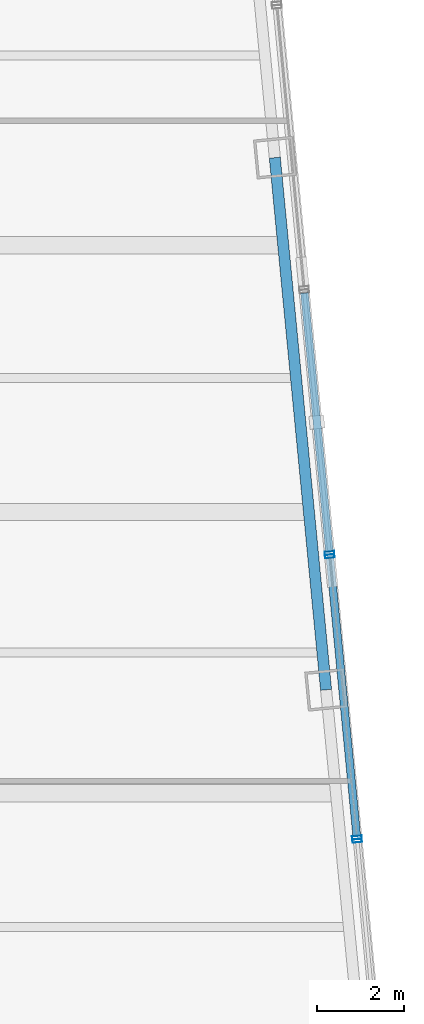
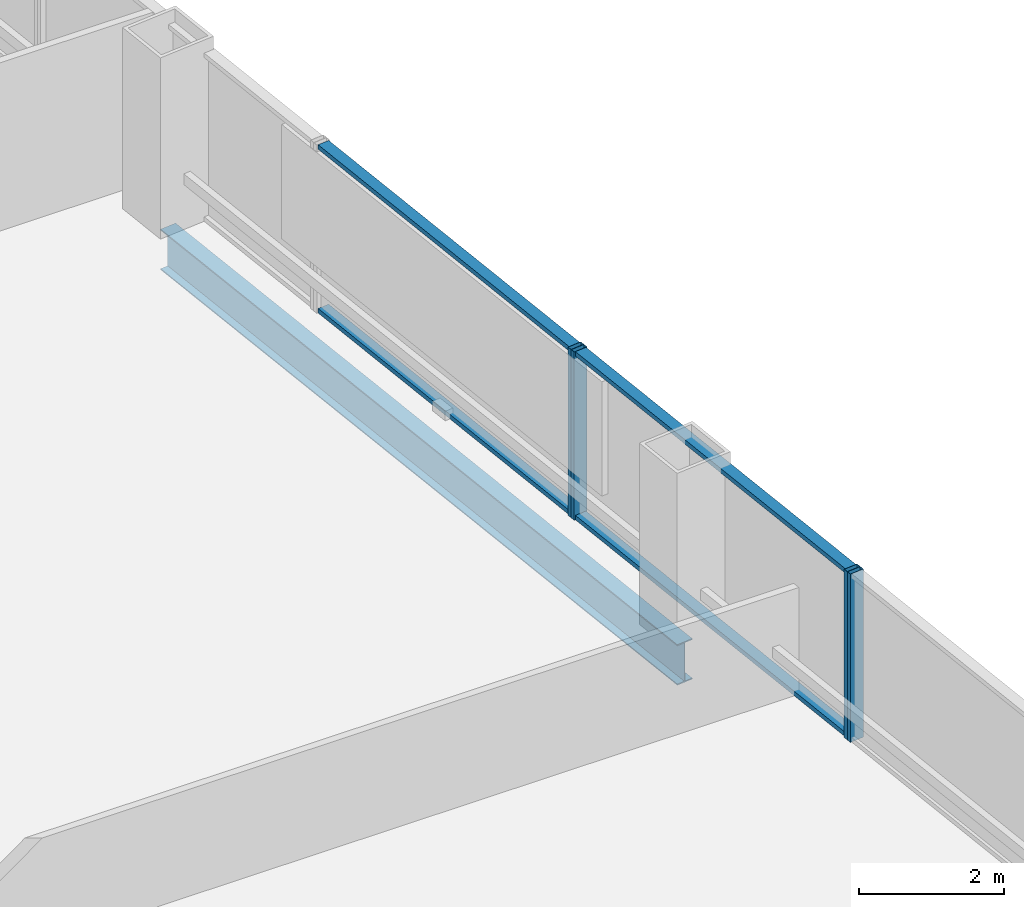
# One storey, part 17 of 34: 8 members, 1 beam, 3 elements without a shape of their own.
"""IFC4 building model written with IfcOpenShell, lengths in metres."""

from ifc_helpers import new_model, si_unit, direction, frame, origin, origin_2d, place, context, subcontext, project, spatial, hollow_rectangle, i_section, extrude, material, layer, layer_set, material_profile, profile_set, type_object, element, aggregate, save


model = new_model("IFC4")

# Units and contexts
model_context = context("Model", 3, precision=1e-05, world=origin(), true_north=direction((0.0, 1.0)))
body_context = subcontext(model_context, "Body", "Model", "MODEL_VIEW")
ifc_project = project(units=[si_unit("LENGTHUNIT", "METRE"), si_unit("AREAUNIT", "SQUARE_METRE"), si_unit("VOLUMEUNIT", "CUBIC_METRE"), si_unit("PLANEANGLEUNIT", "RADIAN"), si_unit("MASSUNIT", "GRAM", prefix="KILO")], contexts=[model_context])

# Site, building, storey
site_placement = place(None, origin())
site = spatial("IfcSite", under=ifc_project, at=site_placement, CompositionType="ELEMENT")
building_placement = place(site_placement, origin())
building = spatial("IfcBuilding", under=site, at=building_placement, Name="Qhalaya Broadcast Tower", CompositionType="ELEMENT")
storey_placement = place(building_placement, frame((0.0, 0.0, 78.60009765625)))
storey = spatial("IfcBuildingStorey", under=building, at=storey_placement, Name="L22", CompositionType="ELEMENT", Elevation=78.60009765625)

# Beam
ifc_material_1 = material(Name="Structural Steel ASTM A992 Grade 50", Category="steel")
ifc_material_profile_1 = material_profile(ifc_material_1, i_section(OverallWidth=0.25390625, OverallDepth=0.68310546875, WebThickness=0.012451171875, FlangeThickness=0.01904296875, at=origin_2d()), Name="W27X94")
ifc_profile_set_1 = profile_set([ifc_material_profile_1], Name="Structural Steel ASTM A992 Grade 50")
beam_type = type_object("IfcBeamType", Name="Perimeter Ring Spandrel Beam SP1", PredefinedType="SPANDREL", material=ifc_profile_set_1)
beam_placement = place(storey_placement, frame((28.116943359375, -0.255126953125, -0.5615234375), z_axis=(-0.095851586307, 0.99539563662, 0.0), x_axis=(-0.99539563662, -0.095851586307, 0.0)))
element("IfcBeam", 1, at=beam_placement, inside=storey, type_object=beam_type, Name="L22 SP1 L22-SPR-06", PredefinedType="SPANDREL", context=body_context, shape_type="SweptSolid", body=[
    extrude(i_section(OverallWidth=0.25390625, OverallDepth=0.68310546875, WebThickness=0.012451171875, FlangeThickness=0.01904296875, at=origin_2d()), origin(), (0.0, 0.0, 1.0), 12.2666015625),
])

# Curtain wall, member
ifc_material_2 = material(Name="Fired Architectural Terracotta", Category="masonry")
ifc_layer_1 = layer(ifc_material_2, 0.219970703125, Name="Fired Architectural Terracotta")
ifc_layer_set_1 = layer_set([ifc_layer_1], Name="Fired Architectural Terracotta")
curtain_wall_type_1 = type_object("IfcCurtainWallType", Name="Block-Cap Unitised Terracotta Spandrel Wall CW-07", PredefinedType="NOTDEFINED", material=ifc_layer_set_1)
curtain_wall_1_placement = place(storey_placement, origin())
curtain_wall_1 = element("IfcCurtainWall", 2, at=curtain_wall_1_placement, inside=storey, type_object=curtain_wall_type_1, Name="L22 Unitised Curtain Wall L22-CW-E2", PredefinedType="NOTDEFINED")
ifc_material_3 = material(Name="Anodised Aluminium 6063-T6", Category="aluminium")
ifc_material_profile_2 = material_profile(ifc_material_3, hollow_rectangle(XDim=0.074951171875, YDim=0.219970703125, WallThickness=0.00390625, at=origin_2d()), Name="ALU-MUL 75x220x4")
ifc_profile_set_2 = profile_set([ifc_material_profile_2], Name="Anodised Aluminium 6063-T6")
member_type_1 = type_object("IfcMemberType", Name="Unitised Curtain-Wall Mullion M01", PredefinedType="MULLION", material=ifc_profile_set_2)
member_1_placement = place(storey_placement, frame((28.832275390625, -3.71875, 0.0), z_axis=(0.0, 0.0, 1.0), x_axis=(-0.095843409779, 0.995396423945, 0.0)))
member_1 = element("IfcMember", 3, at=member_1_placement, type_object=member_type_1, Name="CW-07 mullion 2", PredefinedType="MULLION", context=body_context, shape_type="SweptSolid", body=[
    extrude(hollow_rectangle(XDim=0.074951171875, YDim=0.219970703125, WallThickness=0.00390625, at=origin_2d()), origin(), (0.0, 0.0, 1.0), 2.829833984375),
])
aggregate(curtain_wall_1, [member_1])

# Curtain wall, members
ifc_material_4 = material(Name="Solar-Control Low-E Triple Glazing", Category="glass")
ifc_layer_2 = layer(ifc_material_4, 0.219970703125, Name="Solar-Control Low-E Triple Glazing")
ifc_layer_set_2 = layer_set([ifc_layer_2], Name="Solar-Control Low-E Triple Glazing")
curtain_wall_type_2 = type_object("IfcCurtainWallType", Name="Even-Block 4-Storey Double-Module Curtain Wall CW-03", PredefinedType="NOTDEFINED", material=ifc_layer_set_2)
curtain_wall_2_placement = place(storey_placement, origin())
curtain_wall_2 = element("IfcCurtainWall", 4, at=curtain_wall_2_placement, inside=storey, type_object=curtain_wall_type_2, Name="L22 Unitised Curtain Wall L22-CW-E3", PredefinedType="NOTDEFINED")
member_2_placement = place(storey_placement, frame((28.824951171875, -3.644287109375, 0.0), z_axis=(0.0, 0.0, 1.0), x_axis=(-0.095852453314, 0.995395553131, 0.0)))
member_2 = element("IfcMember", 5, at=member_2_placement, type_object=member_type_1, Name="CW-03 mullion 1", PredefinedType="MULLION", context=body_context, shape_type="SweptSolid", body=[
    extrude(hollow_rectangle(XDim=0.074951171875, YDim=0.219970703125, WallThickness=0.00390625, at=origin_2d()), origin(), (0.0, 0.0, 1.0), 2.829833984375),
])
member_3_placement = place(storey_placement, frame((28.20361328125, 2.80908203125, 0.0), z_axis=(0.0, 0.0, 1.0), x_axis=(-0.095852453314, 0.995395553131, 0.0)))
member_3 = element("IfcMember", 6, at=member_3_placement, type_object=member_type_1, Name="CW-03 mullion 2", PredefinedType="MULLION", context=body_context, shape_type="SweptSolid", body=[
    extrude(hollow_rectangle(XDim=0.074951171875, YDim=0.219970703125, WallThickness=0.00390625, at=origin_2d()), origin(), (0.0, 0.0, 1.0), 2.829833984375),
])

# Curtain wall, member
curtain_wall_3_placement = place(storey_placement, origin())
curtain_wall_3 = element("IfcCurtainWall", 7, at=curtain_wall_3_placement, inside=storey, type_object=curtain_wall_type_1, Name="L22 Unitised Curtain Wall L22-CW-E4", PredefinedType="NOTDEFINED")
member_4_placement = place(storey_placement, frame((28.1962890625, 2.883544921875, 0.0), z_axis=(0.0, 0.0, 1.0), x_axis=(-0.095841245509, 0.995396632333, 0.0)))
member_4 = element("IfcMember", 8, at=member_4_placement, type_object=member_type_1, Name="CW-07 mullion 1", PredefinedType="MULLION", context=body_context, shape_type="SweptSolid", body=[
    extrude(hollow_rectangle(XDim=0.074951171875, YDim=0.219970703125, WallThickness=0.00390625, at=origin_2d()), origin(), (0.0, 0.0, 1.0), 2.829833984375),
])

# Member
ifc_material_profile_3 = material_profile(ifc_material_3, hollow_rectangle(XDim=0.074951171875, YDim=0.179931640625, WallThickness=0.00390625, at=origin_2d()), Name="ALU-TRN 75x180x4")
ifc_profile_set_3 = profile_set([ifc_material_profile_3], Name="Anodised Aluminium 6063-T6")
member_type_2 = type_object("IfcMemberType", Name="Unitised Curtain-Wall Transom T01", PredefinedType="USERDEFINED", material=ifc_profile_set_3)
member_5_placement = place(storey_placement, frame((28.8212890625, -3.60693359375, 0.037353515625), z_axis=(-0.095817669031, 0.9953989021, 0.0), x_axis=(0.0, 0.0, 1.0)))
member_5 = element("IfcMember", 9, at=member_5_placement, type_object=member_type_2, Name="CW-03 transom 1.1", ObjectType="TRANSOM", PredefinedType="USERDEFINED", context=body_context, shape_type="SweptSolid", body=[
    extrude(hollow_rectangle(XDim=0.074951171875, YDim=0.179931640625, WallThickness=0.00390625, at=origin_2d()), origin(), (0.0, 0.0, 1.0), 6.408203125),
])

member_6_placement = place(storey_placement, frame((28.8212890625, -3.60693359375, 2.79248046875), z_axis=(-0.095817669031, 0.9953989021, 0.0), x_axis=(0.0, 0.0, 1.0)))
member_6 = element("IfcMember", 10, at=member_6_placement, type_object=member_type_2, Name="CW-03 transom 1.2", ObjectType="TRANSOM", PredefinedType="USERDEFINED", context=body_context, shape_type="SweptSolid", body=[
    extrude(hollow_rectangle(XDim=0.074951171875, YDim=0.179931640625, WallThickness=0.00390625, at=origin_2d()), origin(), (0.0, 0.0, 1.0), 6.408203125),
])

aggregate(curtain_wall_2, [member_2, member_3, member_5, member_6])

member_7_placement = place(storey_placement, frame((28.19287109375, 2.9208984375, 0.037353515625), z_axis=(-0.095843578039, 0.995396407744, 0.0), x_axis=(0.0, 0.0, 1.0)))
member_7 = element("IfcMember", 11, at=member_7_placement, type_object=member_type_2, Name="CW-07 transom 1.1", ObjectType="TRANSOM", PredefinedType="USERDEFINED", context=body_context, shape_type="SweptSolid", body=[
    extrude(hollow_rectangle(XDim=0.074951171875, YDim=0.179931640625, WallThickness=0.00390625, at=origin_2d()), origin(), (0.0, 0.0, 1.0), 5.9580078125),
])

member_8_placement = place(storey_placement, frame((28.19287109375, 2.9208984375, 2.79248046875), z_axis=(-0.095843578039, 0.995396407744, 0.0), x_axis=(0.0, 0.0, 1.0)))
member_8 = element("IfcMember", 12, at=member_8_placement, type_object=member_type_2, Name="CW-07 transom 1.2", ObjectType="TRANSOM", PredefinedType="USERDEFINED", context=body_context, shape_type="SweptSolid", body=[
    extrude(hollow_rectangle(XDim=0.074951171875, YDim=0.179931640625, WallThickness=0.00390625, at=origin_2d()), origin(), (0.0, 0.0, 1.0), 5.9580078125),
])

aggregate(curtain_wall_3, [member_4, member_7, member_8])

save(model, "model.ifc")
